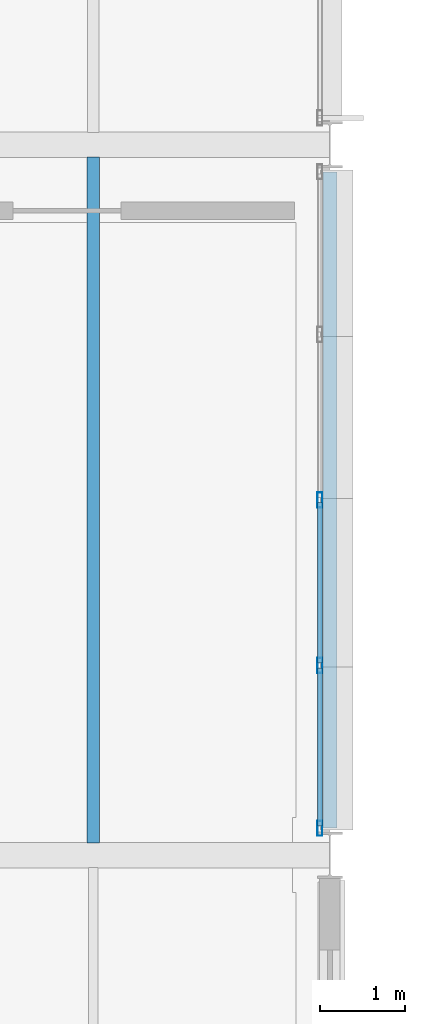
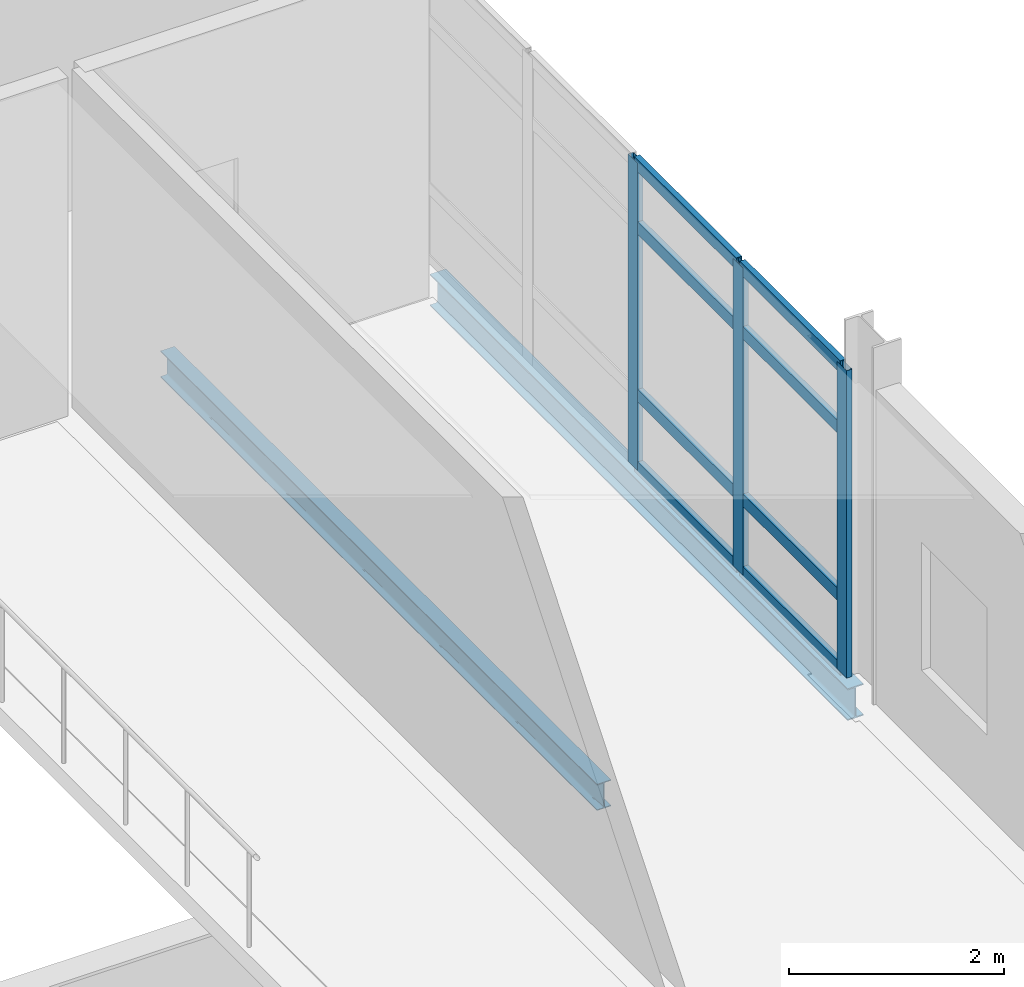
# One storey, part 60 of 151: 11 members, 2 beams, 1 element without a shape of its own.
"""IFC4 building model written with IfcOpenShell, lengths in metres."""

from ifc_helpers import new_model, si_unit, direction, frame, origin, origin_2d, place, context, subcontext, project, spatial, hollow_rectangle, i_section, extrude, material, material_profile, profile_set, type_object, element, aggregate, save


model = new_model("IFC4")

# Units and contexts
model_context = context("Model", 3, precision=1e-05, world=origin(), true_north=direction((0.0, 1.0)))
body_context = subcontext(model_context, "Body", "Model", "MODEL_VIEW")
ifc_project = project(units=[si_unit("LENGTHUNIT", "METRE"), si_unit("AREAUNIT", "SQUARE_METRE"), si_unit("VOLUMEUNIT", "CUBIC_METRE"), si_unit("PLANEANGLEUNIT", "RADIAN"), si_unit("MASSUNIT", "GRAM", prefix="KILO")], contexts=[model_context])

# Site, building, storey
site_placement = place(None, origin())
site = spatial("IfcSite", under=ifc_project, at=site_placement, CompositionType="ELEMENT")
building_placement = place(site_placement, origin())
building = spatial("IfcBuilding", under=site, at=building_placement, Name="Mersafa Astral City Hall", CompositionType="ELEMENT")
storey_placement = place(building_placement, frame((0.0, 0.0, 9.89990234375)))
storey = spatial("IfcBuildingStorey", under=building, at=storey_placement, Name="L02", CompositionType="ELEMENT", Elevation=9.89990234375)

# Curtain wall, members
ifc_material_1 = material(Name="Anodised bronze aluminium framing", Category="aluminium")
curtain_wall_type = type_object("IfcCurtainWallType", Name="ENV-CW-6", PredefinedType="USERDEFINED", material=ifc_material_1)
curtain_wall_placement = place(storey_placement, origin())
curtain_wall = element("IfcCurtainWall", 1, at=curtain_wall_placement, inside=storey, type_object=curtain_wall_type, Name="L02 Unitised solar curtain wall 113", ObjectType="UNITISED CURTAIN WALL", PredefinedType="USERDEFINED")
ifc_material_profile_1 = material_profile(ifc_material_1, hollow_rectangle(XDim=0.06005859375, YDim=0.179931640625, WallThickness=0.00390625, at=origin_2d()), Name="RHS 60x180x4")
ifc_profile_set_1 = profile_set([ifc_material_profile_1], Name="Anodised bronze aluminium framing")
member_type_1 = type_object("IfcMemberType", Name="ENV-CW-MUL-1", PredefinedType="MULLION", material=ifc_profile_set_1)
member_1_placement = place(storey_placement, frame((117.47998046875, 67.51708984375, -0.001953125), z_axis=(0.0, 0.0, 1.0), x_axis=(-1.0, 0.0, 0.0)))
member_1 = element("IfcMember", 2, at=member_1_placement, type_object=member_type_1, Name="CW-6 mullion 1", PredefinedType="MULLION", context=body_context, shape_type="SweptSolid", body=[
    extrude(hollow_rectangle(XDim=0.06005859375, YDim=0.179931640625, WallThickness=0.00390625, at=origin_2d()), origin(), (0.0, 0.0, 1.0), 3.489013671875),
])
member_2_placement = place(storey_placement, frame((117.47998046875, 69.443603515625, -0.001953125), z_axis=(0.0, 0.0, 1.0), x_axis=(-1.0, 0.0, 0.0)))
member_2 = element("IfcMember", 3, at=member_2_placement, type_object=member_type_1, Name="CW-6 mullion 2", PredefinedType="MULLION", context=body_context, shape_type="SweptSolid", body=[
    extrude(hollow_rectangle(XDim=0.06005859375, YDim=0.179931640625, WallThickness=0.00390625, at=origin_2d()), origin(), (0.0, 0.0, 1.0), 3.489013671875),
])
member_3_placement = place(storey_placement, frame((117.47998046875, 71.39990234375, -0.001953125), z_axis=(0.0, 0.0, 1.0), x_axis=(-1.0, 0.0, 0.0)))
member_3 = element("IfcMember", 4, at=member_3_placement, type_object=member_type_1, Name="CW-6 mullion 3", PredefinedType="MULLION", context=body_context, shape_type="SweptSolid", body=[
    extrude(hollow_rectangle(XDim=0.06005859375, YDim=0.179931640625, WallThickness=0.00390625, at=origin_2d()), origin(), (0.0, 0.0, 1.0), 3.489013671875),
])
ifc_material_profile_2 = material_profile(ifc_material_1, hollow_rectangle(XDim=0.06005859375, YDim=0.139892578125, WallThickness=0.00390625, at=origin_2d()), Name="RHS 60x140x4")
ifc_profile_set_2 = profile_set([ifc_material_profile_2], Name="Anodised bronze aluminium framing")
member_type_2 = type_object("IfcMemberType", Name="ENV-CW-TRN-1", PredefinedType="USERDEFINED", material=ifc_profile_set_2)
member_4_placement = place(storey_placement, frame((117.47998046875, 67.547119140625, 0.028076171875), z_axis=(0.0, 1.0, 0.0), x_axis=(-1.0, 0.0, 0.0)))
member_4 = element("IfcMember", 5, at=member_4_placement, type_object=member_type_2, Name="CW-6 transom 1.1", ObjectType="TRANSOM", PredefinedType="USERDEFINED", context=body_context, shape_type="SweptSolid", body=[
    extrude(hollow_rectangle(XDim=0.06005859375, YDim=0.139892578125, WallThickness=0.00390625, at=origin_2d()), origin(), (0.0, 0.0, 1.0), 1.866455078125),
])
member_5_placement = place(storey_placement, frame((117.47998046875, 67.547119140625, 0.85009765625), z_axis=(0.0, 1.0, 0.0), x_axis=(-1.0, 0.0, 0.0)))
member_5 = element("IfcMember", 6, at=member_5_placement, type_object=member_type_2, Name="CW-6 transom 1.2", ObjectType="TRANSOM", PredefinedType="USERDEFINED", context=body_context, shape_type="SweptSolid", body=[
    extrude(hollow_rectangle(XDim=0.06005859375, YDim=0.139892578125, WallThickness=0.00390625, at=origin_2d()), origin(), (0.0, 0.0, 1.0), 1.866455078125),
])
member_6_placement = place(storey_placement, frame((117.47998046875, 67.547119140625, 2.75), z_axis=(0.0, 1.0, 0.0), x_axis=(-1.0, 0.0, 0.0)))
member_6 = element("IfcMember", 7, at=member_6_placement, type_object=member_type_2, Name="CW-6 transom 1.3", ObjectType="TRANSOM", PredefinedType="USERDEFINED", context=body_context, shape_type="SweptSolid", body=[
    extrude(hollow_rectangle(XDim=0.06005859375, YDim=0.139892578125, WallThickness=0.00390625, at=origin_2d()), origin(), (0.0, 0.0, 1.0), 1.866455078125),
])
member_7_placement = place(storey_placement, frame((117.47998046875, 67.547119140625, 3.45703125), z_axis=(0.0, 1.0, 0.0), x_axis=(-1.0, 0.0, 0.0)))
member_7 = element("IfcMember", 8, at=member_7_placement, type_object=member_type_2, Name="CW-6 transom 1.4", ObjectType="TRANSOM", PredefinedType="USERDEFINED", context=body_context, shape_type="SweptSolid", body=[
    extrude(hollow_rectangle(XDim=0.06005859375, YDim=0.139892578125, WallThickness=0.00390625, at=origin_2d()), origin(), (0.0, 0.0, 1.0), 1.866455078125),
])
member_8_placement = place(storey_placement, frame((117.47998046875, 69.473388671875, 0.028076171875), z_axis=(0.0, 1.0, 0.0), x_axis=(-1.0, 0.0, 0.0)))
member_8 = element("IfcMember", 9, at=member_8_placement, type_object=member_type_2, Name="CW-6 transom 2.1", ObjectType="TRANSOM", PredefinedType="USERDEFINED", context=body_context, shape_type="SweptSolid", body=[
    extrude(hollow_rectangle(XDim=0.06005859375, YDim=0.139892578125, WallThickness=0.00390625, at=origin_2d()), origin(), (0.0, 0.0, 1.0), 1.896728515625),
])
member_9_placement = place(storey_placement, frame((117.47998046875, 69.473388671875, 0.85009765625), z_axis=(0.0, 1.0, 0.0), x_axis=(-1.0, 0.0, 0.0)))
member_9 = element("IfcMember", 10, at=member_9_placement, type_object=member_type_2, Name="CW-6 transom 2.2", ObjectType="TRANSOM", PredefinedType="USERDEFINED", context=body_context, shape_type="SweptSolid", body=[
    extrude(hollow_rectangle(XDim=0.06005859375, YDim=0.139892578125, WallThickness=0.00390625, at=origin_2d()), origin(), (0.0, 0.0, 1.0), 1.896728515625),
])
member_10_placement = place(storey_placement, frame((117.47998046875, 69.473388671875, 2.75), z_axis=(0.0, 1.0, 0.0), x_axis=(-1.0, 0.0, 0.0)))
member_10 = element("IfcMember", 11, at=member_10_placement, type_object=member_type_2, Name="CW-6 transom 2.3", ObjectType="TRANSOM", PredefinedType="USERDEFINED", context=body_context, shape_type="SweptSolid", body=[
    extrude(hollow_rectangle(XDim=0.06005859375, YDim=0.139892578125, WallThickness=0.00390625, at=origin_2d()), origin(), (0.0, 0.0, 1.0), 1.896728515625),
])
member_11_placement = place(storey_placement, frame((117.47998046875, 69.473388671875, 3.45703125), z_axis=(0.0, 1.0, 0.0), x_axis=(-1.0, 0.0, 0.0)))
member_11 = element("IfcMember", 12, at=member_11_placement, type_object=member_type_2, Name="CW-6 transom 2.4", ObjectType="TRANSOM", PredefinedType="USERDEFINED", context=body_context, shape_type="SweptSolid", body=[
    extrude(hollow_rectangle(XDim=0.06005859375, YDim=0.139892578125, WallThickness=0.00390625, at=origin_2d()), origin(), (0.0, 0.0, 1.0), 1.896728515625),
])
aggregate(curtain_wall, [member_1, member_2, member_3, member_4, member_5, member_6, member_7, member_8, member_9, member_10, member_11])

# Beams
ifc_material_2 = material(Name="Steel S355", Category="steel")
ifc_material_profile_3 = material_profile(ifc_material_2, i_section(OverallWidth=0.14990234375, OverallDepth=0.300048828125, WebThickness=0.007080078125, FlangeThickness=0.0107421875, FilletRadius=0.014892578125, at=origin_2d()), Name="IPE 300")
ifc_profile_set_3 = profile_set([ifc_material_profile_3], Name="Steel S355")
beam_type_1 = type_object("IfcBeamType", Name="STR-BM-JOIST-IPE300", PredefinedType="JOIST", material=ifc_profile_set_3)
beam_1_placement = place(storey_placement, frame((114.800048828125, 67.344970703125, -0.349853515625), z_axis=(0.0, 1.0, 0.0), x_axis=(-1.0, 0.0, 0.0)))
element("IfcBeam", 13, at=beam_1_placement, inside=storey, type_object=beam_type_1, Name="L02 Composite secondary floor joist 481", PredefinedType="JOIST", context=body_context, shape_type="SweptSolid", body=[
    extrude(i_section(OverallWidth=0.14990234375, OverallDepth=0.300048828125, WebThickness=0.007080078125, FlangeThickness=0.0107421875, FilletRadius=0.014892578125, at=origin_2d()), origin(), (0.0, 0.0, 1.0), 8.110107421875),
])
ifc_material_profile_4 = material_profile(ifc_material_2, i_section(OverallWidth=0.169921875, OverallDepth=0.360107421875, WebThickness=0.008056640625, FlangeThickness=0.0126953125, FilletRadius=0.01806640625, at=origin_2d()), Name="IPE 360")
ifc_profile_set_4 = profile_set([ifc_material_profile_4], Name="Steel S355")
beam_type_2 = type_object("IfcBeamType", Name="STR-BM-SPANDREL-IPE360", PredefinedType="SPANDREL", material=ifc_profile_set_4)
beam_2_placement = place(storey_placement, frame((117.60009765625, 67.52001953125, -0.3798828125), z_axis=(0.0, 1.0, 0.0), x_axis=(-1.0, 0.0, 0.0)))
element("IfcBeam", 14, at=beam_2_placement, inside=storey, type_object=beam_type_2, Name="L02 Primary girder Y 14-8", PredefinedType="SPANDREL", context=body_context, shape_type="SweptSolid", body=[
    extrude(i_section(OverallWidth=0.169921875, OverallDepth=0.360107421875, WebThickness=0.008056640625, FlangeThickness=0.0126953125, FilletRadius=0.01806640625, at=origin_2d()), origin(), (0.0, 0.0, 1.0), 7.760009765625),
])

save(model, "model.ifc")
